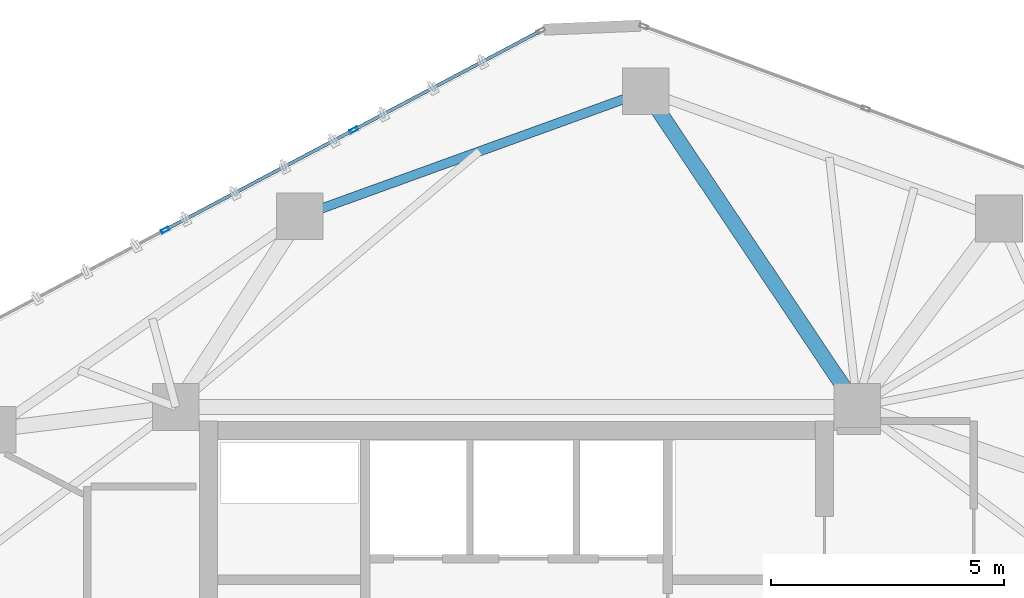
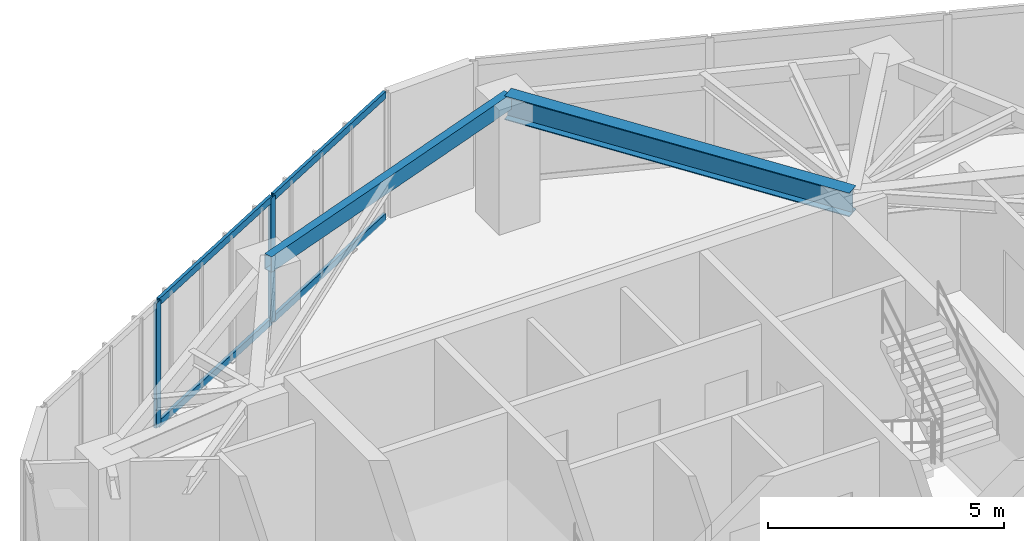
# One storey, part 13 of 19: 6 members, 2 beams, 1 element without a shape of its own.
"""IFC4 building model written with IfcOpenShell, lengths in metres."""

import ifcopenshell
import ifcopenshell.guid

model = None  # the IFC model being written
_history = None  # IfcOwnerHistory: only IFC2X3 demands one
_inside = {}  # id of a spatial element -> (the spatial element, [elements in it])
_under = {}  # id of a project, library or spatial element -> (it, [spatial elements below it])
_declared = {}  # id of a project -> (the project, [libraries it declares])
_typed = {}  # id of a type object -> (the type object, [elements of that type])
_made_of = {}  # id of a material, layer set ... -> (it, [elements and type objects made of it])


def new_model(schema):
    """Start an empty IFC model of exactly this schema.

    Asked for "IFC4X3", IfcOpenShell would pick the latest addendum, in which some entities
    have other attributes; the version numbers below select the first issue.
    IFC2X3 requires an IfcOwnerHistory on every rooted entity: one is made here for all.
    """
    global model, _history
    if schema == "IFC4X3":
        model = ifcopenshell.file(schema_version=(4, 3, 0, 0))
    else:
        model = ifcopenshell.file(schema=schema)
    _inside.clear()
    _under.clear()
    _declared.clear()
    _typed.clear()
    _made_of.clear()
    _history = None
    if model.schema == "IFC2X3":
        org = make("IfcOrganization", Name="unknown")
        user = make(
            "IfcPersonAndOrganization",
            ThePerson=make("IfcPerson", FamilyName="unknown"),
            TheOrganization=org,
        )
        app = make(
            "IfcApplication",
            ApplicationDeveloper=org,
            Version="unknown",
            ApplicationFullName="unknown",
            ApplicationIdentifier="unknown",
        )
        _history = make(
            "IfcOwnerHistory",
            OwningUser=user,
            OwningApplication=app,
            ChangeAction="ADDED",
            CreationDate=0,
        )
    return model


def make(cls, **values):
    """One entity of the class cls with the attributes given. An attribute that is None is left unset."""
    return model.create_entity(
        cls, **{name: value for name, value in values.items() if value is not None}
    )


def rooted(cls, **values):
    """An entity with a GlobalId (a new one), such as an element, a storey or a relation."""
    return make(cls, GlobalId=ifcopenshell.guid.new(), OwnerHistory=_history, **values)


def si_unit(unit_type, name, prefix=None):
    """IfcSIUnit, for example si_unit("LENGTHUNIT", "METRE", prefix="MILLI")."""
    return make("IfcSIUnit", UnitType=unit_type, Prefix=prefix, Name=name)


def assignment(units):
    """IfcUnitAssignment: the units of a project."""
    return None if units is None else make("IfcUnitAssignment", Units=units)


def point(xyz):
    """IfcCartesianPoint."""
    return None if xyz is None else make("IfcCartesianPoint", Coordinates=xyz)


def direction(xyz):
    """IfcDirection."""
    return None if xyz is None else make("IfcDirection", DirectionRatios=xyz)


def frame(location, z_axis=None, x_axis=None):
    """IfcAxis2Placement3D, a coordinate frame: its origin and axes. An axis left out is left unset."""
    return make(
        "IfcAxis2Placement3D",
        Location=point(location),
        Axis=direction(z_axis),
        RefDirection=direction(x_axis),
    )


def frame_2d(location, x_axis=None):
    """IfcAxis2Placement2D, a coordinate frame in the plane: its origin and x axis."""
    return make(
        "IfcAxis2Placement2D", Location=point(location), RefDirection=direction(x_axis)
    )


def origin():
    """The frame at (0, 0, 0) with its axes left unset."""
    return frame((0.0, 0.0, 0.0))


def origin_2d():
    """The frame at (0, 0) in the plane with its x axis left unset."""
    return frame_2d((0.0, 0.0))


def place(relative_to, where):
    """IfcLocalPlacement: puts the frame where relative to a parent placement (None: the world)."""
    return make(
        "IfcLocalPlacement", PlacementRelTo=relative_to, RelativePlacement=where
    )


def context(
    kind, dimensions, precision=None, world=None, true_north=None, identifier=None
):
    """IfcGeometricRepresentationContext, for example the 3D "Model" context."""
    return make(
        "IfcGeometricRepresentationContext",
        ContextIdentifier=identifier,
        ContextType=kind,
        CoordinateSpaceDimension=dimensions,
        Precision=precision,
        WorldCoordinateSystem=world,
        TrueNorth=true_north,
    )


def subcontext(parent, identifier, kind, view, scale=None):
    """IfcGeometricRepresentationSubContext, for example "Body" below "Model"."""
    return make(
        "IfcGeometricRepresentationSubContext",
        ContextIdentifier=identifier,
        ContextType=kind,
        ParentContext=parent,
        TargetScale=scale,
        TargetView=view,
    )


def project(units=None, contexts=None):
    """IfcProject with its units and contexts."""
    return rooted(
        "IfcProject",
        Name="project",
        RepresentationContexts=contexts,
        UnitsInContext=assignment(units),
    )


def spatial(cls, under=None, at=None, **own):
    """A site, building, storey or space (cls), placed at a placement, below another one or the project."""
    s = rooted(cls, ObjectPlacement=at, **own)
    if under is not None:
        _under.setdefault(under.id(), (under, []))[1].append(s)
    return s


def profile(cls, at=None, kind="AREA", **sizes):
    """A parametric profile (cls). Its sizes go by their IFC names, for example OverallWidth=200.0."""
    return make(cls, ProfileType=kind, Position=at, **sizes)


def hollow_rectangle(**sizes):
    """IfcRectangleHollowProfileDef."""
    return profile("IfcRectangleHollowProfileDef", **sizes)


def i_section(**sizes):
    """IfcIShapeProfileDef."""
    return profile("IfcIShapeProfileDef", **sizes)


def extrude(swept, where, along, depth):
    """IfcExtrudedAreaSolid: the profile swept, set in the frame where, extruded along a direction by depth."""
    return make(
        "IfcExtrudedAreaSolid",
        SweptArea=swept,
        Position=where,
        ExtrudedDirection=direction(along),
        Depth=depth,
    )


def shape(context_of_items, identifier, shape_type, items):
    """IfcShapeRepresentation: the items that make up one representation, for example the "Body"."""
    return make(
        "IfcShapeRepresentation",
        ContextOfItems=context_of_items,
        RepresentationIdentifier=identifier,
        RepresentationType=shape_type,
        Items=items,
    )


def source(mapping_origin, context_of_items, identifier, shape_type, items):
    """IfcRepresentationMap: a shape defined once, which mapped items show again and again."""
    return make(
        "IfcRepresentationMap",
        MappingOrigin=mapping_origin,
        MappedRepresentation=shape(context_of_items, identifier, shape_type, items),
    )


def transform(
    local_origin,
    x_axis=None,
    y_axis=None,
    z_axis=None,
    scale=None,
    scale2=None,
    scale3=None,
    uniform=True,
):
    """IfcCartesianTransformationOperator3D, or its non-uniform kind. x_axis, y_axis, z_axis: its Axis1, 2, 3."""
    if uniform:
        return make(
            "IfcCartesianTransformationOperator3D",
            Axis1=direction(x_axis),
            Axis2=direction(y_axis),
            LocalOrigin=point(local_origin),
            Scale=scale,
            Axis3=direction(z_axis),
        )
    return make(
        "IfcCartesianTransformationOperator3DnonUniform",
        Axis1=direction(x_axis),
        Axis2=direction(y_axis),
        LocalOrigin=point(local_origin),
        Scale=scale,
        Axis3=direction(z_axis),
        Scale2=scale2,
        Scale3=scale3,
    )


def mapped(mapping_source, mapping_target):
    """IfcMappedItem: shows the shape of a source again, moved by a transform."""
    return make(
        "IfcMappedItem", MappingSource=mapping_source, MappingTarget=mapping_target
    )


def material(Name=None, Category=None):
    """IfcMaterial."""
    return make("IfcMaterial", Name=Name, Category=Category)


def layer(
    of_material, thickness, ventilated=None, Name=None, Category=None, Priority=None
):
    """IfcMaterialLayer: one layer of a wall or slab, of a material (None: an air gap)."""
    return make(
        "IfcMaterialLayer",
        Material=of_material,
        LayerThickness=thickness,
        IsVentilated=ventilated,
        Name=Name,
        Category=Category,
        Priority=Priority,
    )


def layer_set(layers, Name=None):
    """IfcMaterialLayerSet."""
    return make("IfcMaterialLayerSet", MaterialLayers=layers, LayerSetName=Name)


def material_profile(
    of_material, cross_section, Name=None, Category=None, Priority=None
):
    """IfcMaterialProfile: a cross section and its material."""
    return make(
        "IfcMaterialProfile",
        Name=Name,
        Material=of_material,
        Profile=cross_section,
        Priority=Priority,
        Category=Category,
    )


def profile_set(profiles, Name=None, composite=None):
    """IfcMaterialProfileSet."""
    return make(
        "IfcMaterialProfileSet",
        Name=Name,
        MaterialProfiles=profiles,
        CompositeProfile=composite,
    )


def made_of(thing, what):
    """Note that an element or type object is made of a material, layer set ...; save() writes the relation."""
    if what is not None:
        _made_of.setdefault(what.id(), (what, []))[1].append(thing)
    return thing


def type_object(cls, material=None, **own):
    """A type object (cls), such as IfcWallType, which elements share."""
    return made_of(rooted(cls, **own), material)


def type_shapes(of_type, sources):
    """Give a type object the sources (RepresentationMaps) that its elements show as mapped items."""
    of_type.RepresentationMaps = sources


def element(
    cls,
    number,
    at=None,
    inside=None,
    cuts=None,
    type_object=None,
    material=None,
    context=None,
    identifier="Body",
    shape_type=None,
    held_by="IfcProductDefinitionShape",
    body=None,
    shapes=None,
    **own,
):
    """One element of the class cls, such as IfcWall. Its Tag is "e" and its number.

    at: its placement. inside: the storey or other place that contains it. cuts: it is an
    opening in that element (IfcRelVoidsElement). A single representation is given by context,
    identifier, shape_type and body (its items); several are given by shapes. held_by: the class
    of the entity that holds the representations. save() writes the other relations.
    """
    e = rooted(cls, Tag="e%d" % number, ObjectPlacement=at, **own)
    if body is not None:
        shapes = [shape(context, identifier, shape_type, body)]
    if shapes is not None:
        e.Representation = make(held_by, Representations=shapes)
    if inside is not None:
        _inside.setdefault(inside.id(), (inside, []))[1].append(e)
    if cuts is not None:
        rooted(
            "IfcRelVoidsElement", RelatingBuildingElement=cuts, RelatedOpeningElement=e
        )
    if type_object is not None:
        _typed.setdefault(type_object.id(), (type_object, []))[1].append(e)
    return made_of(e, material)


def aggregate(whole, parts):
    """IfcRelAggregates: a whole, such as a stair, and the parts it consists of."""
    return rooted("IfcRelAggregates", RelatingObject=whole, RelatedObjects=parts)


def save(model, path):
    """Write the relations noted so far, then the file.

    IfcRelAggregates (storeys below a building ...), IfcRelContainedInSpatialStructure (elements
    in a storey), IfcRelDefinesByType, IfcRelAssociatesMaterial and IfcRelDeclares: one each for
    every whole, place, type object, material and project.
    """
    for whole, parts in _under.values():
        aggregate(whole, parts)
    for where, things in _inside.values():
        rooted(
            "IfcRelContainedInSpatialStructure",
            RelatedElements=things,
            RelatingStructure=where,
        )
    for kind, things in _typed.values():
        rooted("IfcRelDefinesByType", RelatedObjects=things, RelatingType=kind)
    for what, things in _made_of.values():
        rooted("IfcRelAssociatesMaterial", RelatedObjects=things, RelatingMaterial=what)
    for by, libraries in _declared.values():
        rooted("IfcRelDeclares", RelatingContext=by, RelatedDefinitions=libraries)
    model.write(path)


model = new_model("IFC4")

# Units and contexts
model_context = context("Model", 3, precision=1e-05, world=origin(), true_north=direction((0.0, 1.0)))
body_context = subcontext(model_context, "Body", "Model", "MODEL_VIEW")
ifc_project = project(units=[si_unit("LENGTHUNIT", "METRE"), si_unit("AREAUNIT", "SQUARE_METRE"), si_unit("VOLUMEUNIT", "CUBIC_METRE"), si_unit("PLANEANGLEUNIT", "RADIAN"), si_unit("MASSUNIT", "GRAM", prefix="KILO")], contexts=[model_context])

# Site, building, storey
site_placement = place(None, origin())
site = spatial("IfcSite", under=ifc_project, at=site_placement, CompositionType="ELEMENT")
building_placement = place(site_placement, origin())
building = spatial("IfcBuilding", under=site, at=building_placement, Name="Talar Marvaseh", CompositionType="ELEMENT")
storey_placement = place(building_placement, frame((0.0, 0.0, 174.0)))
storey = spatial("IfcBuildingStorey", under=building, at=storey_placement, Name="L45", CompositionType="ELEMENT", Elevation=174.0)

# Beams
ifc_material_1 = material(Name="Steel S355", Category="steel")
ifc_material_profile_1 = material_profile(ifc_material_1, hollow_rectangle(XDim=0.199951171875, YDim=0.39990234375, WallThickness=0.013916015625, at=origin_2d()), Name="RHS400x200x14")
ifc_profile_set_1 = profile_set([ifc_material_profile_1], Name="Steel S355")
beam_type_1 = type_object("IfcBeamType", Name="Zone 3 Perimeter Spandrel Beam RHS400x200x14", PredefinedType="SPANDREL", material=ifc_profile_set_1)
beam_1_placement = place(storey_placement, frame((21.35205078125, 40.986083984375, 3.030029296875), z_axis=(0.940368006783, 0.340158803824, 0.0), x_axis=(-0.340158803824, 0.940368006783, 0.0)))
element("IfcBeam", 1, at=beam_1_placement, inside=storey, type_object=beam_type_1, Name="L45 Zone 3 Perimeter Spandrel Beam RHS400x200x14", PredefinedType="SPANDREL", context=body_context, shape_type="SweptSolid", body=[
    extrude(hollow_rectangle(XDim=0.199951171875, YDim=0.39990234375, WallThickness=0.013916015625, at=origin_2d()), origin(), (0.0, 0.0, 1.0), 7.88427734375),
])
ifc_material_profile_2 = material_profile(ifc_material_1, i_section(OverallWidth=0.324951171875, OverallDepth=0.615966796875, WebThickness=0.013916015625, FlangeThickness=0.021484375, at=origin_2d()), Name="W610x174")
ifc_profile_set_2 = profile_set([ifc_material_profile_2], Name="Steel S355")
beam_type_2 = type_object("IfcBeamType", Name="Zone 3 Radial Floor Girder W610x174", PredefinedType="BEAM", material=ifc_profile_set_2)
beam_2_placement = place(storey_placement, frame((28.76611328125, 43.66796875, 2.922119140625), z_axis=(0.556559209375, -0.830807948, 0.0), x_axis=(0.830807948, 0.556559209375, 0.0)))
element("IfcBeam", 2, at=beam_2_placement, inside=storey, type_object=beam_type_2, Name="L45 Zone 3 Radial Floor Girder W610x174", PredefinedType="BEAM", context=body_context, shape_type="SweptSolid", body=[
    extrude(i_section(OverallWidth=0.324951171875, OverallDepth=0.615966796875, WebThickness=0.013916015625, FlangeThickness=0.021484375, at=origin_2d()), origin(), (0.0, 0.0, 1.0), 8.146484375),
])

# Curtain wall, members
ifc_material_2 = material(Name="Architectural Aluminium", Category="aluminium")
ifc_layer = layer(ifc_material_2, 0.18994140625)
ifc_layer_set = layer_set([ifc_layer], Name="Architectural Aluminium")
curtain_wall_type = type_object("IfcCurtainWallType", Name="Unitised Solar Atelier Curtain Wall Z3", PredefinedType="NOTDEFINED", material=ifc_layer_set)
curtain_wall_placement = place(storey_placement, origin())
curtain_wall = element("IfcCurtainWall", 3, at=curtain_wall_placement, inside=storey, type_object=curtain_wall_type, Name="L45 Unitised Solar Atelier Curtain Wall Z3", PredefinedType="NOTDEFINED")
ifc_material_profile_3 = material_profile(ifc_material_2, hollow_rectangle(XDim=0.074951171875, YDim=0.179931640625, WallThickness=0.0048828125, at=origin_2d()), Name="RHS180x75x5")
ifc_profile_set_3 = profile_set([ifc_material_profile_3], Name="Architectural Aluminium")
member_type_1 = type_object("IfcMemberType", Name="Unitised Curtain Wall Standard Mullion RHS180x75x5", PredefinedType="MULLION", material=ifc_profile_set_3)
shared_shape_1 = source(origin(), body_context, "Body", "SweptSolid", [
    extrude(hollow_rectangle(XDim=0.074951171875, YDim=0.179931640625, WallThickness=0.0048828125, at=origin_2d()), origin(), (0.0, 0.0, 1.0), 3.22998046875),
])
type_shapes(member_type_1, [shared_shape_1])
member_1_placement = place(storey_placement, frame((18.468017578125, 40.6943359375, 0.0), z_axis=(0.0, 0.0, 1.0), x_axis=(-0.468426669756, 0.883502379771, 0.0)))
member_1 = element("IfcMember", 4, at=member_1_placement, type_object=member_type_1, Name="CW-Z3 mullion 2", PredefinedType="MULLION", context=body_context, shape_type="MappedRepresentation", body=[
    mapped(shared_shape_1, transform((0.0, 0.0, 0.0), x_axis=(1.0, 0.0, 0.0), y_axis=(0.0, 1.0, 0.0), z_axis=(0.0, 0.0, 1.0), scale=1.0)),
])
member_2_placement = place(storey_placement, frame((22.511962890625, 42.83837890625, 0.0), z_axis=(0.0, 0.0, 1.0), x_axis=(-0.468426669756, 0.883502379771, 0.0)))
member_2 = element("IfcMember", 5, at=member_2_placement, type_object=member_type_1, Name="CW-Z3 mullion 3", PredefinedType="MULLION", context=body_context, shape_type="MappedRepresentation", body=[
    mapped(shared_shape_1, transform((0.0, 0.0, 0.0), x_axis=(1.0, 0.0, 0.0), y_axis=(0.0, 1.0, 0.0), z_axis=(0.0, 0.0, 1.0), scale=1.0)),
])
ifc_material_profile_4 = material_profile(ifc_material_2, hollow_rectangle(XDim=0.074951171875, YDim=0.179931640625, WallThickness=0.0048828125, at=origin_2d()), Name="RHS180x75x5")
ifc_profile_set_4 = profile_set([ifc_material_profile_4], Name="Architectural Aluminium")
member_type_2 = type_object("IfcMemberType", Name="Unitised Curtain Wall Transom RHS180x75x5", PredefinedType="USERDEFINED", material=ifc_profile_set_4)
shared_shape_2 = source(origin(), body_context, "Body", "SweptSolid", [
    extrude(hollow_rectangle(XDim=0.074951171875, YDim=0.179931640625, WallThickness=0.0048828125, at=origin_2d()), origin(), (0.0, 0.0, 1.0), 4.502197265625),
])
member_3_placement = place(storey_placement, frame((18.501220703125, 40.7119140625, 0.03759765625), z_axis=(0.883477745117, 0.468473130375, 0.0), x_axis=(-0.468473130375, 0.883477745117, 0.0)))
member_3 = element("IfcMember", 6, at=member_3_placement, type_object=member_type_2, Name="CW-Z3 transom 2.1", ObjectType="TRANSOM", PredefinedType="USERDEFINED", context=body_context, shape_type="MappedRepresentation", body=[
    mapped(shared_shape_2, transform((0.0, 0.0, 0.0), x_axis=(1.0, 0.0, 0.0), y_axis=(0.0, 1.0, 0.0), z_axis=(0.0, 0.0, 1.0), scale=1.0)),
])
member_4_placement = place(storey_placement, frame((18.501220703125, 40.7119140625, 3.1923828125), z_axis=(0.883477745117, 0.468473130375, 0.0), x_axis=(-0.468473130375, 0.883477745117, 0.0)))
member_4 = element("IfcMember", 7, at=member_4_placement, type_object=member_type_2, Name="CW-Z3 transom 2.2", ObjectType="TRANSOM", PredefinedType="USERDEFINED", context=body_context, shape_type="MappedRepresentation", body=[
    mapped(shared_shape_2, transform((0.0, 0.0, 0.0), x_axis=(1.0, 0.0, 0.0), y_axis=(0.0, 1.0, 0.0), z_axis=(0.0, 0.0, 1.0), scale=1.0)),
])
shared_shape_3 = source(origin(), body_context, "Body", "SweptSolid", [
    extrude(hollow_rectangle(XDim=0.074951171875, YDim=0.179931640625, WallThickness=0.0048828125, at=origin_2d()), origin(), (0.0, 0.0, 1.0), 4.46484375),
])
type_shapes(member_type_2, [shared_shape_2, shared_shape_3])
member_5_placement = place(storey_placement, frame((22.545166015625, 42.85595703125, 0.03759765625), z_axis=(0.883487134123, 0.468455423534, 0.0), x_axis=(-0.468455423534, 0.883487134123, 0.0)))
member_5 = element("IfcMember", 8, at=member_5_placement, type_object=member_type_2, Name="CW-Z3 transom 3.1", ObjectType="TRANSOM", PredefinedType="USERDEFINED", context=body_context, shape_type="MappedRepresentation", body=[
    mapped(shared_shape_3, transform((0.0, 0.0, 0.0), x_axis=(1.0, 0.0, 0.0), y_axis=(0.0, 1.0, 0.0), z_axis=(0.0, 0.0, 1.0), scale=1.0)),
])
member_6_placement = place(storey_placement, frame((22.545166015625, 42.85595703125, 3.1923828125), z_axis=(0.883487134123, 0.468455423534, 0.0), x_axis=(-0.468455423534, 0.883487134123, 0.0)))
member_6 = element("IfcMember", 9, at=member_6_placement, type_object=member_type_2, Name="CW-Z3 transom 3.2", ObjectType="TRANSOM", PredefinedType="USERDEFINED", context=body_context, shape_type="MappedRepresentation", body=[
    mapped(shared_shape_3, transform((0.0, 0.0, 0.0), x_axis=(1.0, 0.0, 0.0), y_axis=(0.0, 1.0, 0.0), z_axis=(0.0, 0.0, 1.0), scale=1.0)),
])
aggregate(curtain_wall, [member_1, member_2, member_3, member_4, member_5, member_6])

save(model, "model.ifc")
